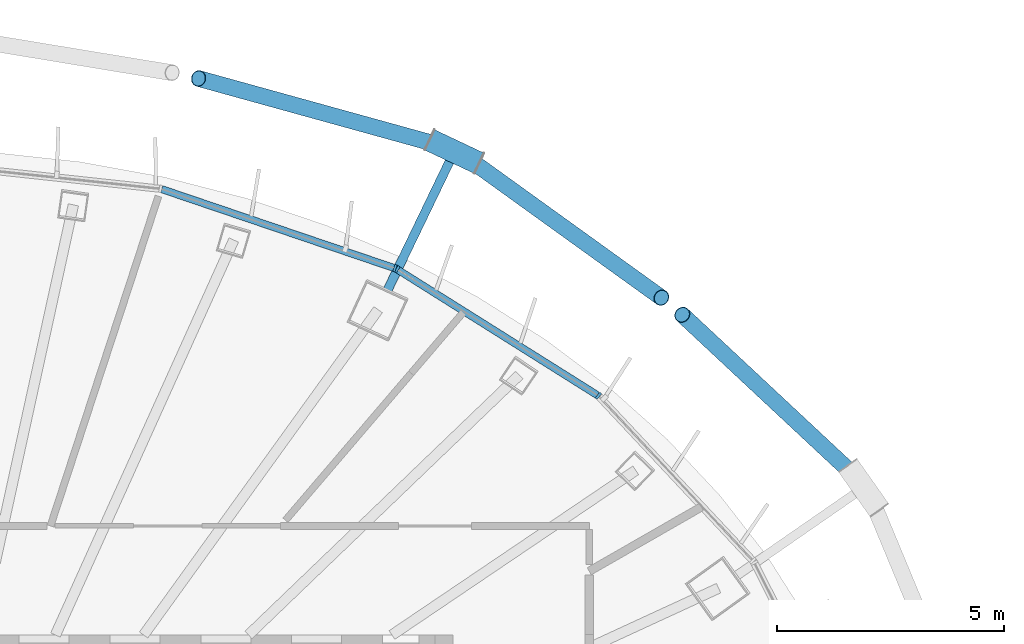
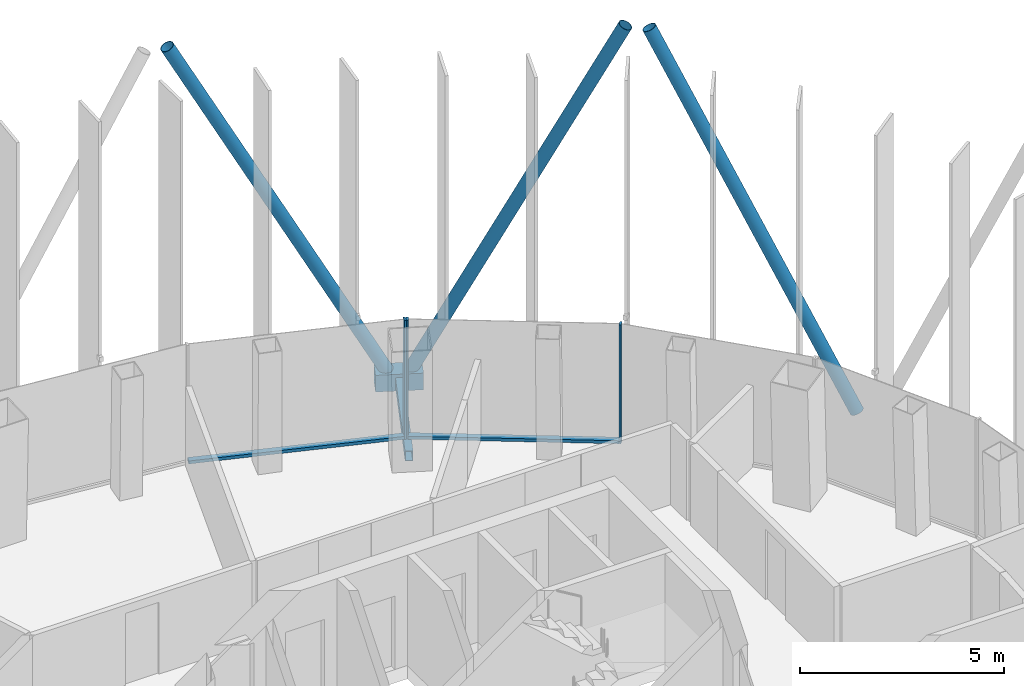
# One storey, part 8 of 20: 10 members, 2 elements without a shape of their own.
"""IFC4 building model written with IfcOpenShell, lengths in metres."""

from ifc_helpers import new_model, si_unit, direction, frame, origin, origin_2d, place, context, subcontext, project, spatial, rectangle, hollow_rectangle, hollow_circle, extrude, material, layer, layer_set, material_profile, profile_set, type_object, element, aggregate, save


model = new_model("IFC4")

# Units and contexts
model_context = context("Model", 3, precision=1e-05, world=origin(), true_north=direction((0.0, 1.0)))
body_context = subcontext(model_context, "Body", "Model", "MODEL_VIEW")
ifc_project = project(units=[si_unit("LENGTHUNIT", "METRE"), si_unit("AREAUNIT", "SQUARE_METRE"), si_unit("VOLUMEUNIT", "CUBIC_METRE"), si_unit("PLANEANGLEUNIT", "RADIAN"), si_unit("MASSUNIT", "GRAM", prefix="KILO")], contexts=[model_context])

# Site, building, storey
site_placement = place(None, origin())
site = spatial("IfcSite", under=ifc_project, at=site_placement, CompositionType="ELEMENT")
building_placement = place(site_placement, origin())
building = spatial("IfcBuilding", under=site, at=building_placement, Name="Siaravel Broadcast Tower", CompositionType="ELEMENT")
storey_placement = place(building_placement, frame((0.0, 0.0, 228.199951171875)))
storey = spatial("IfcBuildingStorey", under=building, at=storey_placement, Name="L55", CompositionType="ELEMENT", Elevation=228.199951171875)

# Curtain wall, members
ifc_material_1 = material(Name="Aluminium 6063-T6", Category="aluminium")
ifc_layer = layer(ifc_material_1, 0.159912109375)
ifc_layer_set = layer_set([ifc_layer], Name="Aluminium 6063-T6")
curtain_wall_type = type_object("IfcCurtainWallType", Name="Unitised curtain wall, zone 4", PredefinedType="NOTDEFINED", material=ifc_layer_set)
curtain_wall_1_placement = place(storey_placement, origin())
curtain_wall_1 = element("IfcCurtainWall", 1, at=curtain_wall_1_placement, inside=storey, type_object=curtain_wall_type, Name="L55 Unitised curtain wall, zone 4 02", PredefinedType="NOTDEFINED")
ifc_material_profile_1 = material_profile(ifc_material_1, rectangle(XDim=0.159912109375, YDim=0.054931640625, at=origin_2d()))
ifc_profile_set_1 = profile_set([ifc_material_profile_1], Name="Aluminium 6063-T6")
member_type_1 = type_object("IfcMemberType", Name="CW-Z4 mullion", PredefinedType="MULLION", material=ifc_profile_set_1)
member_1_placement = place(storey_placement, frame((15.200439453125, 12.463623046875, 0.0), z_axis=(0.0, 0.0, 1.0), x_axis=(-0.636219746, -0.771507897, 0.0)))
member_1 = element("IfcMember", 2, at=member_1_placement, type_object=member_type_1, Name="CW-Z4 mullion 2", PredefinedType="MULLION", context=body_context, shape_type="SweptSolid", body=[
    extrude(rectangle(XDim=0.159912109375, YDim=0.054931640625, at=origin_2d()), origin(), (0.0, 0.0, 1.0), 3.550048828125),
])
member_2_placement = place(storey_placement, frame((10.770751953125, 15.248046875, 0.0), z_axis=(0.0, 0.0, 1.0), x_axis=(-0.532150293, -0.846649907, 0.0)))
member_2 = element("IfcMember", 3, at=member_2_placement, type_object=member_type_1, Name="CW-Z4 mullion 3", PredefinedType="MULLION", context=body_context, shape_type="SweptSolid", body=[
    extrude(rectangle(XDim=0.159912109375, YDim=0.054931640625, at=origin_2d()), origin(), (0.0, 0.0, 1.0), 3.550048828125),
])

# Curtain wall, member
curtain_wall_2_placement = place(storey_placement, origin())
curtain_wall_2 = element("IfcCurtainWall", 4, at=curtain_wall_2_placement, inside=storey, type_object=curtain_wall_type, Name="L55 Unitised curtain wall, zone 4 03", PredefinedType="NOTDEFINED")
member_3_placement = place(storey_placement, frame((10.72119140625, 15.271484375, 0.0), z_axis=(0.0, 0.0, 1.0), x_axis=(-0.321301352, -0.946977002, 0.0)))
member_3 = element("IfcMember", 5, at=member_3_placement, type_object=member_type_1, Name="CW-Z4 mullion 1", PredefinedType="MULLION", context=body_context, shape_type="SweptSolid", body=[
    extrude(rectangle(XDim=0.159912109375, YDim=0.054931640625, at=origin_2d()), origin(), (0.0, 0.0, 1.0), 3.550048828125),
])

# Member
ifc_material_profile_2 = material_profile(ifc_material_1, rectangle(XDim=0.159912109375, YDim=0.090087890625, at=origin_2d()))
ifc_profile_set_2 = profile_set([ifc_material_profile_2], Name="Aluminium 6063-T6")
member_type_2 = type_object("IfcMemberType", Name="CW-Z4 transom", PredefinedType="USERDEFINED", material=ifc_profile_set_2)
member_4_placement = place(storey_placement, frame((15.17724609375, 12.478271484375, 0.045166015625), z_axis=(-0.846644441, 0.53215899, 0.0), x_axis=(-0.53215899, -0.846644441, 0.0)))
member_4 = element("IfcMember", 6, at=member_4_placement, type_object=member_type_2, Name="CW-Z4 transom 2", ObjectType="TRANSOM", PredefinedType="USERDEFINED", context=body_context, shape_type="SweptSolid", body=[
    extrude(rectangle(XDim=0.159912109375, YDim=0.090087890625, at=origin_2d()), origin(), (0.0, 0.0, 1.0), 5.17724609375),
])

aggregate(curtain_wall_1, [member_1, member_2, member_4])

member_5_placement = place(storey_placement, frame((10.6953125, 15.2802734375, 0.045166015625), z_axis=(-0.946971812, 0.321316645, 0.0), x_axis=(-0.321316645, -0.946971812, 0.0)))
member_5 = element("IfcMember", 7, at=member_5_placement, type_object=member_type_2, Name="CW-Z4 transom 1", ObjectType="TRANSOM", PredefinedType="USERDEFINED", context=body_context, shape_type="SweptSolid", body=[
    extrude(rectangle(XDim=0.159912109375, YDim=0.090087890625, at=origin_2d()), origin(), (0.0, 0.0, 1.0), 5.392333984375),
])

aggregate(curtain_wall_2, [member_3, member_5])

# Members
ifc_material_2 = material(Name="Steel S460", Category="steel")
ifc_material_profile_3 = material_profile(ifc_material_2, hollow_circle(Radius=0.177734375, WallThickness=0.012451171875, at=origin_2d()))
ifc_profile_set_3 = profile_set([ifc_material_profile_3], Name="Steel S460")
member_type_3 = type_object("IfcMemberType", Name="Diagrid diagonal CHS 355.6x12.5", PredefinedType="BRACE", material=ifc_profile_set_3)
member_6_placement = place(storey_placement, frame((20.865478515625, 10.6826171875, 0.02001953125), z_axis=(-0.321787959, 0.300401234, 0.897892871), x_axis=(-0.682398137, -0.730980699, 0.0)))
element("IfcMember", 8, at=member_6_placement, inside=storey, type_object=member_type_3, Name="Diagrid diagonal R23 station 06A", PredefinedType="BRACE", context=body_context, shape_type="SweptSolid", body=[
    extrude(hollow_circle(Radius=0.177734375, WallThickness=0.012451171875, at=origin_2d()), origin(), (0.0, 0.0, 1.0), 11.8720703125),
])
member_7_placement = place(storey_placement, frame((12.296875, 17.714111328125, 0.02001953125), z_axis=(0.360588642, -0.259705891, 0.895839652), x_axis=(0.584426349, 0.811446759, 0.0)))
element("IfcMember", 9, at=member_7_placement, inside=storey, type_object=member_type_3, Name="Diagrid diagonal R23 station 12C", PredefinedType="BRACE", context=body_context, shape_type="SweptSolid", body=[
    extrude(hollow_circle(Radius=0.177734375, WallThickness=0.012451171875, at=origin_2d()), origin(), (0.0, 0.0, 1.0), 11.8994140625),
])
member_8_placement = place(storey_placement, frame((11.762451171875, 17.966796875, 0.02001953125), z_axis=(-0.446084084, 0.123255802, 0.886463196), x_axis=(-0.266326799, -0.963882792, 0.0)))
element("IfcMember", 10, at=member_8_placement, inside=storey, type_object=member_type_3, Name="Diagrid diagonal R23 station 12A", PredefinedType="BRACE", context=body_context, shape_type="SweptSolid", body=[
    extrude(hollow_circle(Radius=0.177734375, WallThickness=0.012451171875, at=origin_2d()), origin(), (0.0, 0.0, 1.0), 12.025146484375),
])
ifc_material_profile_4 = material_profile(ifc_material_2, hollow_rectangle(XDim=0.5, YDim=0.5, WallThickness=0.031982421875, at=origin_2d()))
ifc_profile_set_4 = profile_set([ifc_material_profile_4], Name="Steel S460")
member_type_4 = type_object("IfcMemberType", Name="Diagrid node BOX 500x500x32", PredefinedType="USERDEFINED", material=ifc_profile_set_4)
member_9_placement = place(storey_placement, frame((12.56591796875, 17.586669921875, -0.199951171875), z_axis=(-0.904005771, 0.427520253, 0.0), x_axis=(-0.427520253, -0.904005771, 0.0)))
element("IfcMember", 11, at=member_9_placement, inside=storey, type_object=member_type_4, Name="Diagrid node R23 station 12", ObjectType="DIAGRID NODE", PredefinedType="USERDEFINED", context=body_context, shape_type="SweptSolid", body=[
    extrude(hollow_rectangle(XDim=0.5, YDim=0.5, WallThickness=0.031982421875, at=origin_2d()), origin(), (0.0, 0.0, 1.0), 1.186767578125),
])
ifc_material_profile_5 = material_profile(ifc_material_2, hollow_rectangle(XDim=0.199951171875, YDim=0.300048828125, WallThickness=0.012451171875, at=origin_2d()))
ifc_profile_set_5 = profile_set([ifc_material_profile_5], Name="Steel S460")
member_type_5 = type_object("IfcMemberType", Name="Diagrid node arm RHS 300x200x12.5", PredefinedType="STRUT", material=ifc_profile_set_5)
member_10_placement = place(storey_placement, frame((10.555908203125, 14.78271484375, -0.199951171875), z_axis=(0.434183283, 0.900824554, 0.0), x_axis=(-0.900824554, 0.434183283, 0.0)))
element("IfcMember", 12, at=member_10_placement, inside=storey, type_object=member_type_5, Name="Node arm R23 station 12", PredefinedType="STRUT", context=body_context, shape_type="SweptSolid", body=[
    extrude(hollow_rectangle(XDim=0.199951171875, YDim=0.300048828125, WallThickness=0.012451171875, at=origin_2d()), origin(), (0.0, 0.0, 1.0), 3.174072265625),
])

save(model, "model.ifc")
